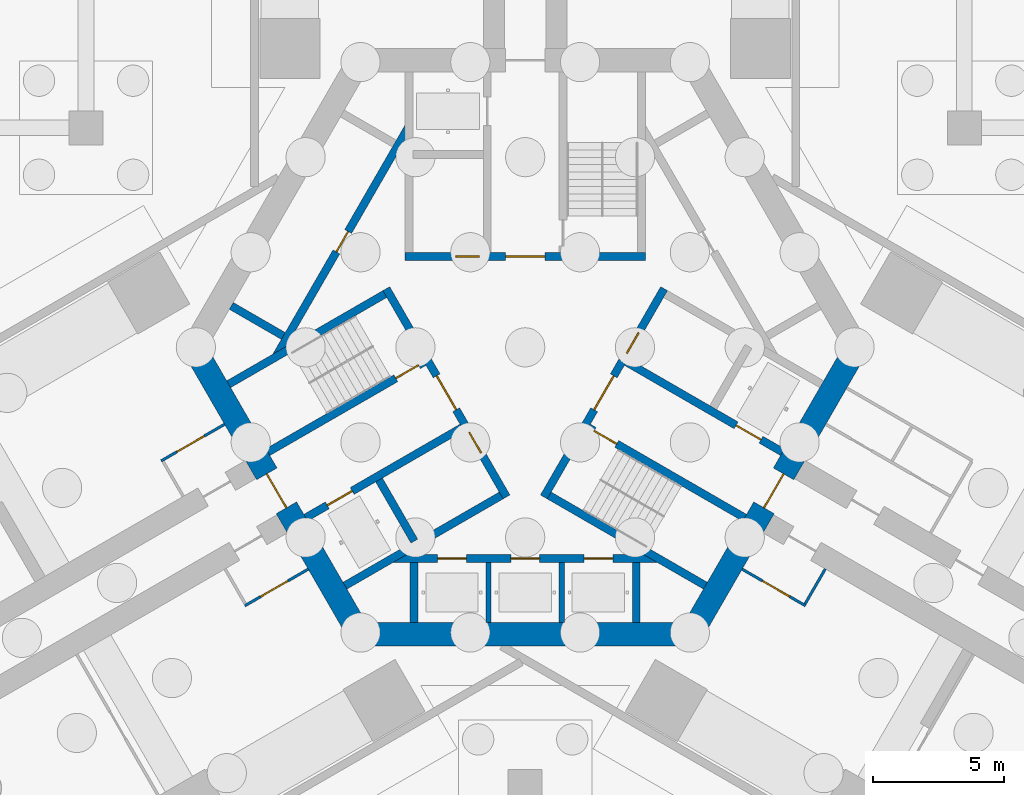
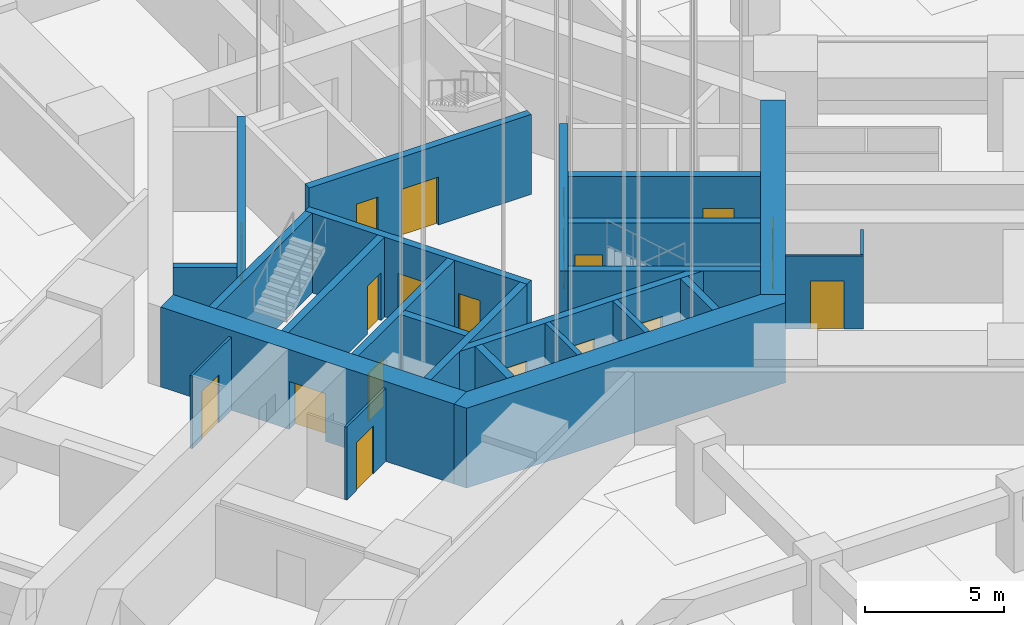
# One storey, part 55 of 73: 25 walls, 19 doors, 19 openings.
"""IFC4 building model written with IfcOpenShell, lengths in metres."""

from ifc_helpers import new_model, si_unit, direction, frame, frame_2d, origin, place, context, subcontext, project, spatial, polyline, rectangle, outline, extrude, material, layer, layer_set, type_object, element, fill, save


model = new_model("IFC4")

# Units and contexts
model_context = context("Model", 3, precision=1e-05, world=origin(), true_north=direction((0.0, 1.0)))
body_context = subcontext(model_context, "Body", "Model", "MODEL_VIEW")
ifc_project = project(units=[si_unit("LENGTHUNIT", "METRE"), si_unit("AREAUNIT", "SQUARE_METRE"), si_unit("VOLUMEUNIT", "CUBIC_METRE"), si_unit("PLANEANGLEUNIT", "RADIAN"), si_unit("MASSUNIT", "GRAM", prefix="KILO")], contexts=[model_context])

# Site, building, storey
site_placement = place(None, origin())
site = spatial("IfcSite", under=ifc_project, at=site_placement, CompositionType="ELEMENT")
building_placement = place(site_placement, origin())
building = spatial("IfcBuilding", under=site, at=building_placement, Name="Impinga Residences", CompositionType="ELEMENT")
storey_placement = place(building_placement, frame((0.0, 0.0, -10.5)))
storey = spatial("IfcBuildingStorey", under=building, at=storey_placement, Name="B3", CompositionType="ELEMENT", Elevation=-10.5)

# Wall, opening, door
ifc_material_1 = material(Name="Concrete blockwork", Category="masonry")
ifc_layer_1 = layer(ifc_material_1, 0.10009765625)
ifc_layer_set_1 = layer_set([ifc_layer_1], Name="CP1 core room partition, blockwork 100")
wall_type_1 = type_object("IfcWallType", Name="CP1 core room partition, blockwork 100", PredefinedType="PARTITIONING", material=ifc_layer_set_1)
wall_1_placement = place(storey_placement, frame((-8.300048828125, -8.487060546875, 0.0), z_axis=(0.0, 0.0, 1.0), x_axis=(-0.866034573852, -0.49998411664, 0.0)))
wall_1 = element("IfcWall", 1, at=wall_1_placement, inside=storey, type_object=wall_type_1, Name="Core room partition, blockwork B3-WA1:L1", PredefinedType="PARTITIONING", context=body_context, shape_type="SweptSolid", body=[
    extrude(rectangle(XDim=2.7998046875, YDim=0.10009765625, at=frame_2d((1.39990234375, 0.0))), origin(), (0.0, 0.0, 1.0), 3.199951171875),
])
opening_1_placement = place(wall_1_placement, frame((0.89990234375, 0.0, 0.0)))
opening_1 = element("IfcOpeningElement", 2, at=opening_1_placement, cuts=wall_1, Name="Opening D3", PredefinedType="OPENING", context=body_context, shape_type="SweptSolid", body=[
    extrude(rectangle(XDim=1.199951171875, YDim=2.10009765625, at=frame_2d((0.60009765625, 1.050048828125))), frame((0.0, 0.06005859375, 0.0), z_axis=(0.0, -1.0, 0.0), x_axis=(1.0, 0.0, 0.0)), (0.0, 0.0, 1.0), 0.1201171875),
])
ifc_material_2 = material(Name="Timber door set", Category="wood")
door_type_1 = type_object("IfcDoorType", Name="D3 room door, leaf and a half 1200x2100", OperationType="DOUBLE_SWING_LEFT", PredefinedType="DOOR", material=ifc_material_2)
door_1_placement = place(opening_1_placement, origin())
door_1 = element("IfcDoor", 3, at=door_1_placement, inside=storey, type_object=door_type_1, Name="Sprinkler pump room door B3-WA1", OperationType="DOUBLE_SWING_LEFT", OverallHeight=2.10009765625, OverallWidth=1.199951171875, PredefinedType="DOOR", context=body_context, shape_type="SweptSolid", body=[
    extrude(rectangle(XDim=1.199951171875, YDim=2.10009765625, at=frame_2d((0.60009765625, 1.050048828125))), frame((0.0, 0.02490234375, 0.0), z_axis=(0.0, -1.0, 0.0), x_axis=(1.0, 0.0, 0.0)), (0.0, 0.0, 1.0), 0.050048828125),
])
fill(opening_1, door_1)

wall_2_placement = place(storey_placement, frame((-11.5, -2.944580078125, 0.0), z_axis=(0.0, 0.0, 1.0), x_axis=(-0.866034573852, -0.49998411664, 0.0)))
wall_2 = element("IfcWall", 4, at=wall_2_placement, inside=storey, type_object=wall_type_1, Name="Core room partition, blockwork B3-WF1:L1", PredefinedType="PARTITIONING", context=body_context, shape_type="SweptSolid", body=[
    extrude(rectangle(XDim=2.7998046875, YDim=0.10009765625, at=frame_2d((1.39990234375, 0.0))), origin(), (0.0, 0.0, 1.0), 3.199951171875),
])
opening_2_placement = place(wall_2_placement, frame((0.89990234375, 0.0, 0.0)))
opening_2 = element("IfcOpeningElement", 5, at=opening_2_placement, cuts=wall_2, Name="Opening D3", PredefinedType="OPENING", context=body_context, shape_type="SweptSolid", body=[
    extrude(rectangle(XDim=1.199951171875, YDim=2.10009765625, at=frame_2d((0.60009765625, 1.050048828125))), frame((0.0, 0.06005859375, 0.0), z_axis=(0.0, -1.0, 0.0), x_axis=(1.0, 0.0, 0.0)), (0.0, 0.0, 1.0), 0.1201171875),
])
door_2_placement = place(opening_2_placement, origin())
door_2 = element("IfcDoor", 6, at=door_2_placement, inside=storey, type_object=door_type_1, Name="Storage cages door B3-WF1", OperationType="DOUBLE_SWING_LEFT", OverallHeight=2.10009765625, OverallWidth=1.199951171875, PredefinedType="DOOR", context=body_context, shape_type="SweptSolid", body=[
    extrude(rectangle(XDim=1.199951171875, YDim=2.10009765625, at=frame_2d((0.60009765625, 1.050048828125))), frame((0.0, 0.02490234375, 0.0), z_axis=(0.0, -1.0, 0.0), x_axis=(1.0, 0.0, 0.0)), (0.0, 0.0, 1.0), 0.050048828125),
])
fill(opening_2, door_2)

wall_3_placement = place(storey_placement, frame((8.300048828125, -8.487060546875, 0.0), z_axis=(0.0, 0.0, 1.0), x_axis=(0.866034573852, -0.49998411664, 0.0)))
wall_3 = element("IfcWall", 7, at=wall_3_placement, inside=storey, type_object=wall_type_1, Name="Core room partition, blockwork B3-EF1:L1", PredefinedType="PARTITIONING", context=body_context, shape_type="SweptSolid", body=[
    extrude(rectangle(XDim=2.7998046875, YDim=0.10009765625, at=frame_2d((1.39990234375, 0.0))), origin(), (0.0, 0.0, 1.0), 3.199951171875),
])
opening_3_placement = place(wall_3_placement, frame((0.89990234375, 0.0, 0.0)))
opening_3 = element("IfcOpeningElement", 8, at=opening_3_placement, cuts=wall_3, Name="Opening D3", PredefinedType="OPENING", context=body_context, shape_type="SweptSolid", body=[
    extrude(rectangle(XDim=1.199951171875, YDim=2.10009765625, at=frame_2d((0.60009765625, 1.050048828125))), frame((0.0, 0.06005859375, 0.0), z_axis=(0.0, -1.0, 0.0), x_axis=(1.0, 0.0, 0.0)), (0.0, 0.0, 1.0), 0.1201171875),
])
door_3_placement = place(opening_3_placement, origin())
door_3 = element("IfcDoor", 9, at=door_3_placement, inside=storey, type_object=door_type_1, Name="Electrical switch room door B3-EF1", OperationType="DOUBLE_SWING_LEFT", OverallHeight=2.10009765625, OverallWidth=1.199951171875, PredefinedType="DOOR", context=body_context, shape_type="SweptSolid", body=[
    extrude(rectangle(XDim=1.199951171875, YDim=2.10009765625, at=frame_2d((0.60009765625, 1.050048828125))), frame((0.0, 0.02490234375, 0.0), z_axis=(0.0, -1.0, 0.0), x_axis=(1.0, 0.0, 0.0)), (0.0, 0.0, 1.0), 0.050048828125),
])
fill(opening_3, door_3)

# Wall
wall_4_placement = place(storey_placement, frame((11.481689453125, -8.476318359375, 0.0), z_axis=(0.0, 0.0, 1.0), x_axis=(-0.500017819788, -0.86601511528, 0.0)))
element("IfcWall", 10, at=wall_4_placement, inside=storey, type_object=wall_type_1, Name="Core room partition, blockwork B3-EF1:L2", PredefinedType="PARTITIONING", context=body_context, shape_type="SweptSolid", body=[
    extrude(rectangle(XDim=1.55029296875, YDim=0.10009765625, at=frame_2d((0.775146484375, 0.0))), origin(), (0.0, 0.0, 1.0), 3.199951171875),
])

# Wall, opening, door
ifc_material_3 = material(Name="Concrete C70/85", Category="concrete")
ifc_layer_2 = layer(ifc_material_3, 0.89990234375)
ifc_layer_set_2 = layer_set([ifc_layer_2], Name="Concrete C70/85")
wall_type_2 = type_object("IfcWallType", Name="SW1 core wall 900", PredefinedType="SHEAR", material=ifc_layer_set_2)
wall_5_placement = place(storey_placement, frame((-6.47021484375, -10.756591796875, 0.0), z_axis=(0.0, 0.0, 1.0), x_axis=(-0.499997612506, 0.8660267822, 0.0)))
wall_5 = element("IfcWall", 11, at=wall_5_placement, inside=storey, type_object=wall_type_2, Name="Core wall SW1 W:FACE B3", PredefinedType="SHEAR", context=body_context, shape_type="SweptSolid", body=[
    extrude(rectangle(XDim=12.16064453125, YDim=0.89990234375, at=frame_2d((6.080322265625, 0.0))), origin(), (0.0, 0.0, 1.0), 3.5),
])
opening_4_placement = place(wall_5_placement, frame((5.330322265625, 0.0, 0.0)))
opening_4 = element("IfcOpeningElement", 12, at=opening_4_placement, cuts=wall_5, Name="Opening D4", PredefinedType="OPENING", context=body_context, shape_type="SweptSolid", body=[
    extrude(rectangle(XDim=1.5, YDim=2.10009765625, at=frame_2d((0.75, 1.050048828125))), frame((0.0, 0.4599609375, 0.0), z_axis=(0.0, -1.0, 0.0), x_axis=(1.0, 0.0, 0.0)), (0.0, 0.0, 1.0), 0.919921875),
])
door_type_2 = type_object("IfcDoorType", Name="D4 lobby door pair 1500x2100", OperationType="DOUBLE_DOOR_DOUBLE_SWING", PredefinedType="DOOR", material=ifc_material_2)
door_4_placement = place(opening_4_placement, origin())
door_4 = element("IfcDoor", 13, at=door_4_placement, inside=storey, type_object=door_type_2, Name="Lobby door W", OperationType="DOUBLE_DOOR_DOUBLE_SWING", OverallHeight=2.10009765625, OverallWidth=1.5, PredefinedType="DOOR", context=body_context, shape_type="SweptSolid", body=[
    extrude(rectangle(XDim=1.5, YDim=2.10009765625, at=frame_2d((0.75, 1.050048828125))), frame((0.0, 0.02490234375, 0.0), z_axis=(0.0, -1.0, 0.0), x_axis=(1.0, 0.0, 0.0)), (0.0, 0.0, 1.0), 0.050048828125),
])
fill(opening_4, door_4)

wall_6_placement = place(storey_placement, frame((12.550537109375, -0.22509765625, 0.0), z_axis=(0.0, 0.0, 1.0), x_axis=(-0.499997612506, -0.8660267822, 0.0)))
wall_6 = element("IfcWall", 14, at=wall_6_placement, inside=storey, type_object=wall_type_2, Name="Core wall SW1 E:FACE B3", PredefinedType="SHEAR", context=body_context, shape_type="SweptSolid", body=[
    extrude(rectangle(XDim=12.16064453125, YDim=0.89990234375, at=frame_2d((6.080322265625, 0.0))), origin(), (0.0, 0.0, 1.0), 3.5),
])
opening_5_placement = place(wall_6_placement, frame((5.330322265625, 0.0, 0.0)))
opening_5 = element("IfcOpeningElement", 15, at=opening_5_placement, cuts=wall_6, Name="Opening D4", PredefinedType="OPENING", context=body_context, shape_type="SweptSolid", body=[
    extrude(rectangle(XDim=1.5, YDim=2.10009765625, at=frame_2d((0.75, 1.050048828125))), frame((0.0, 0.4599609375, 0.0), z_axis=(0.0, -1.0, 0.0), x_axis=(1.0, 0.0, 0.0)), (0.0, 0.0, 1.0), 0.919921875),
])
door_5_placement = place(opening_5_placement, origin())
door_5 = element("IfcDoor", 16, at=door_5_placement, inside=storey, type_object=door_type_2, Name="Lobby door E", OperationType="DOUBLE_DOOR_DOUBLE_SWING", OverallHeight=2.10009765625, OverallWidth=1.5, PredefinedType="DOOR", context=body_context, shape_type="SweptSolid", body=[
    extrude(rectangle(XDim=1.5, YDim=2.10009765625, at=frame_2d((0.75, 1.050048828125))), frame((0.0, 0.02490234375, 0.0), z_axis=(0.0, -1.0, 0.0), x_axis=(1.0, 0.0, 0.0)), (0.0, 0.0, 1.0), 0.050048828125),
])
fill(opening_5, door_5)

# Wall
wall_7_placement = place(storey_placement, origin())
element("IfcWall", 17, at=wall_7_placement, inside=storey, type_object=wall_type_2, Name="Core wall SW1 N:EXPOSED B3", PredefinedType="SHEAR", context=body_context, shape_type="SweptSolid", body=[
    extrude(outline(polyline([(-6.60009765625, -11.431640625), (6.60009765625, -11.431640625), (6.85986328125, -10.9814453125), (6.080322265625, -10.531494140625), (-6.080322265625, -10.531494140625), (-6.85986328125, -10.9814453125), (-6.60009765625, -11.431640625)])), origin(), (0.0, 0.0, 1.0), 3.5),
])

# Wall, openings, doors
ifc_layer_3 = layer(ifc_material_3, 0.300048828125)
ifc_layer_set_3 = layer_set([ifc_layer_3], Name="Concrete C70/85")
wall_type_3 = type_object("IfcWallType", Name="SW5 core inner wall, stairs, shafts and lobbies 300", PredefinedType="SHEAR", material=ifc_layer_set_3)
wall_8_placement = place(storey_placement, frame((-4.60009765625, 3.47998046875, 0.0), z_axis=(0.0, 0.0, 1.0), x_axis=(1.0, 0.0, 0.0)))
wall_8 = element("IfcWall", 18, at=wall_8_placement, inside=storey, type_object=wall_type_3, Name="Core wall SW5 N:ZONE B3", PredefinedType="SHEAR", context=body_context, shape_type="SweptSolid", body=[
    extrude(rectangle(XDim=9.2001953125, YDim=0.300048828125, at=frame_2d((4.60009765625, 0.0))), origin(), (0.0, 0.0, 1.0), 3.5),
])
opening_6_placement = place(wall_8_placement, frame((3.85009765625, 0.0, 0.0)))
opening_6 = element("IfcOpeningElement", 19, at=opening_6_placement, cuts=wall_8, Name="Opening D4", PredefinedType="OPENING", context=body_context, shape_type="SweptSolid", body=[
    extrude(rectangle(XDim=1.5, YDim=2.10009765625, at=frame_2d((0.75, 1.050048828125))), frame((0.0, 0.159912109375, 0.0), z_axis=(0.0, -1.0, 0.0), x_axis=(1.0, 0.0, 0.0)), (0.0, 0.0, 1.0), 0.320068359375),
])
opening_7_placement = place(wall_8_placement, frame((1.949951171875, 0.0, 0.0)))
opening_7 = element("IfcOpeningElement", 20, at=opening_7_placement, cuts=wall_8, Name="Opening D6", PredefinedType="OPENING", context=body_context, shape_type="SweptSolid", body=[
    extrude(rectangle(XDim=0.89990234375, YDim=2.10009765625, at=frame_2d((0.449951171875, 1.050048828125))), frame((0.0, 0.159912109375, 0.0), z_axis=(0.0, -1.0, 0.0), x_axis=(1.0, 0.0, 0.0)), (0.0, 0.0, 1.0), 0.320068359375),
])
door_6_placement = place(opening_6_placement, origin())
door_6 = element("IfcDoor", 21, at=door_6_placement, inside=storey, type_object=door_type_2, Name="Firefighting lobby door N", OperationType="DOUBLE_DOOR_DOUBLE_SWING", OverallHeight=2.10009765625, OverallWidth=1.5, PredefinedType="DOOR", context=body_context, shape_type="SweptSolid", body=[
    extrude(rectangle(XDim=1.5, YDim=2.10009765625, at=frame_2d((0.75, 1.050048828125))), frame((0.0, 0.02490234375, 0.0), z_axis=(0.0, -1.0, 0.0), x_axis=(1.0, 0.0, 0.0)), (0.0, 0.0, 1.0), 0.050048828125),
])
fill(opening_6, door_6)
door_type_3 = type_object("IfcDoorType", Name="D6 riser and store door 900x2100", OperationType="SINGLE_SWING_LEFT", PredefinedType="DOOR", material=ifc_material_2)
door_7_placement = place(opening_7_placement, origin())
door_7 = element("IfcDoor", 22, at=door_7_placement, inside=storey, type_object=door_type_3, Name="Riser door N", OperationType="SINGLE_SWING_LEFT", OverallHeight=2.10009765625, OverallWidth=0.89990234375, PredefinedType="DOOR", context=body_context, shape_type="SweptSolid", body=[
    extrude(rectangle(XDim=0.89990234375, YDim=2.10009765625, at=frame_2d((0.449951171875, 1.050048828125))), frame((0.0, 0.02490234375, 0.0), z_axis=(0.0, -1.0, 0.0), x_axis=(1.0, 0.0, 0.0)), (0.0, 0.0, 1.0), 0.050048828125),
])
fill(opening_7, door_7)

wall_9_placement = place(storey_placement, frame((-0.7138671875, -5.7236328125, 0.0), z_axis=(0.0, 0.0, 1.0), x_axis=(-0.499995050369, 0.866028261437, 0.0)))
wall_9 = element("IfcWall", 23, at=wall_9_placement, inside=storey, type_object=wall_type_3, Name="Core wall SW5 W:ZONE B3", PredefinedType="SHEAR", context=body_context, shape_type="SweptSolid", body=[
    extrude(rectangle(XDim=9.19970703125, YDim=0.300048828125, at=frame_2d((4.599853515625, 0.0))), origin(), (0.0, 0.0, 1.0), 3.5),
])
opening_8_placement = place(wall_9_placement, frame((3.85009765625, 0.0, 0.0)))
opening_8 = element("IfcOpeningElement", 24, at=opening_8_placement, cuts=wall_9, Name="Opening D4", PredefinedType="OPENING", context=body_context, shape_type="SweptSolid", body=[
    extrude(rectangle(XDim=1.5, YDim=2.10009765625, at=frame_2d((0.75, 1.050048828125))), frame((0.0, 0.159912109375, 0.0), z_axis=(0.0, -1.0, 0.0), x_axis=(1.0, 0.0, 0.0)), (0.0, 0.0, 1.0), 0.320068359375),
])
opening_9_placement = place(wall_9_placement, frame((1.949951171875, 0.0, 0.0)))
opening_9 = element("IfcOpeningElement", 25, at=opening_9_placement, cuts=wall_9, Name="Opening D6", PredefinedType="OPENING", context=body_context, shape_type="SweptSolid", body=[
    extrude(rectangle(XDim=0.89990234375, YDim=2.10009765625, at=frame_2d((0.449951171875, 1.050048828125))), frame((0.0, 0.159912109375, 0.0), z_axis=(0.0, -1.0, 0.0), x_axis=(1.0, 0.0, 0.0)), (0.0, 0.0, 1.0), 0.320068359375),
])
door_8_placement = place(opening_8_placement, origin())
door_8 = element("IfcDoor", 26, at=door_8_placement, inside=storey, type_object=door_type_2, Name="Firefighting lobby door W", OperationType="DOUBLE_DOOR_DOUBLE_SWING", OverallHeight=2.10009765625, OverallWidth=1.5, PredefinedType="DOOR", context=body_context, shape_type="SweptSolid", body=[
    extrude(rectangle(XDim=1.5, YDim=2.10009765625, at=frame_2d((0.75, 1.050048828125))), frame((0.0, 0.02490234375, 0.0), z_axis=(0.0, -1.0, 0.0), x_axis=(1.0, 0.0, 0.0)), (0.0, 0.0, 1.0), 0.050048828125),
])
fill(opening_8, door_8)
door_9_placement = place(opening_9_placement, origin())
door_9 = element("IfcDoor", 27, at=door_9_placement, inside=storey, type_object=door_type_3, Name="Riser door W", OperationType="SINGLE_SWING_LEFT", OverallHeight=2.10009765625, OverallWidth=0.89990234375, PredefinedType="DOOR", context=body_context, shape_type="SweptSolid", body=[
    extrude(rectangle(XDim=0.89990234375, YDim=2.10009765625, at=frame_2d((0.449951171875, 1.050048828125))), frame((0.0, 0.02490234375, 0.0), z_axis=(0.0, -1.0, 0.0), x_axis=(1.0, 0.0, 0.0)), (0.0, 0.0, 1.0), 0.050048828125),
])
fill(opening_9, door_9)

# Wall, opening, door
wall_10_placement = place(storey_placement, frame((-3.86865234375, -0.559326171875, 0.0), z_axis=(0.0, 0.0, 1.0), x_axis=(-0.86602711848, -0.499997030048, 0.0)))
wall_10 = element("IfcWall", 28, at=wall_10_placement, inside=storey, type_object=wall_type_3, Name="Core wall SW5 W:ST-IN B3", PredefinedType="SHEAR", context=body_context, shape_type="SweptSolid", body=[
    extrude(rectangle(XDim=6.9013671875, YDim=0.300048828125, at=frame_2d((3.45068359375, 0.0))), origin(), (0.0, 0.0, 1.0), 3.5),
])
opening_10_placement = place(wall_10_placement, frame((0.25, 0.0, 0.0)))
opening_10 = element("IfcOpeningElement", 29, at=opening_10_placement, cuts=wall_10, Name="Opening D5", PredefinedType="OPENING", context=body_context, shape_type="SweptSolid", body=[
    extrude(rectangle(XDim=1.0, YDim=2.10009765625, at=frame_2d((0.5, 1.050048828125))), frame((0.0, 0.159912109375, 0.0), z_axis=(0.0, -1.0, 0.0), x_axis=(1.0, 0.0, 0.0)), (0.0, 0.0, 1.0), 0.320068359375),
])
door_type_4 = type_object("IfcDoorType", Name="D5 stair door 1000x2100", OperationType="SINGLE_SWING_LEFT", PredefinedType="DOOR", material=ifc_material_2)
door_10_placement = place(opening_10_placement, origin())
door_10 = element("IfcDoor", 30, at=door_10_placement, inside=storey, type_object=door_type_4, Name="Stair door W", OperationType="SINGLE_SWING_LEFT", OverallHeight=2.10009765625, OverallWidth=1.0, PredefinedType="DOOR", context=body_context, shape_type="SweptSolid", body=[
    extrude(rectangle(XDim=1.0, YDim=2.10009765625, at=frame_2d((0.5, 1.050048828125))), frame((0.0, 0.02490234375, 0.0), z_axis=(0.0, -1.0, 0.0), x_axis=(1.0, 0.0, 0.0)), (0.0, 0.0, 1.0), 0.050048828125),
])
fill(opening_10, door_10)

# Wall
wall_11_placement = place(storey_placement, frame((-5.36865234375, 2.038818359375, 0.0), z_axis=(0.0, 0.0, 1.0), x_axis=(-0.86602711848, -0.499997030048, 0.0)))
element("IfcWall", 31, at=wall_11_placement, inside=storey, type_object=wall_type_3, Name="Core wall SW5 W:ST-OUT B3", PredefinedType="SHEAR", context=body_context, shape_type="SweptSolid", body=[
    extrude(rectangle(XDim=6.9013671875, YDim=0.300048828125, at=frame_2d((3.45068359375, 0.0))), origin(), (0.0, 0.0, 1.0), 3.5),
])

# Wall, opening, door
wall_12_placement = place(storey_placement, frame((-2.418701171875, -3.07080078125, 0.0), z_axis=(0.0, 0.0, 1.0), x_axis=(-0.86602711848, -0.499997030048, 0.0)))
wall_12 = element("IfcWall", 32, at=wall_12_placement, inside=storey, type_object=wall_type_3, Name="Core wall SW5 W:FF-IN B3", PredefinedType="SHEAR", context=body_context, shape_type="SweptSolid", body=[
    extrude(rectangle(XDim=6.9013671875, YDim=0.300048828125, at=frame_2d((3.45068359375, 0.0))), origin(), (0.0, 0.0, 1.0), 3.5),
])
opening_11_placement = place(wall_12_placement, frame((4.85009765625, 0.0, 0.0)))
opening_11 = element("IfcOpeningElement", 33, at=opening_11_placement, cuts=wall_12, Name="Opening LD2", PredefinedType="OPENING", context=body_context, shape_type="SweptSolid", body=[
    extrude(rectangle(XDim=1.10009765625, YDim=2.10009765625, at=frame_2d((0.550048828125, 1.050048828125))), frame((0.0, 0.159912109375, 0.0), z_axis=(0.0, -1.0, 0.0), x_axis=(1.0, 0.0, 0.0)), (0.0, 0.0, 1.0), 0.320068359375),
])
ifc_material_4 = material(Name="Steel lift landing door", Category="steel")
door_type_5 = type_object("IfcDoorType", Name="LD2 firefighting lift landing door 1100x2100", OperationType="DOUBLE_DOOR_SLIDING", PredefinedType="DOOR", material=ifc_material_4)
door_11_placement = place(opening_11_placement, origin())
door_11 = element("IfcDoor", 34, at=door_11_placement, inside=storey, type_object=door_type_5, Name="Firefighting lift landing door F2", OperationType="DOUBLE_DOOR_SLIDING", OverallHeight=2.10009765625, OverallWidth=1.10009765625, PredefinedType="DOOR", context=body_context, shape_type="SweptSolid", body=[
    extrude(rectangle(XDim=1.10009765625, YDim=2.10009765625, at=frame_2d((0.550048828125, 1.050048828125))), frame((0.0, 0.02490234375, 0.0), z_axis=(0.0, -1.0, 0.0), x_axis=(1.0, 0.0, 0.0)), (0.0, 0.0, 1.0), 0.050048828125),
])
fill(opening_11, door_11)

# Walls
wall_13_placement = place(storey_placement, frame((-0.918701171875, -5.668701171875, 0.0), z_axis=(0.0, 0.0, 1.0), x_axis=(-0.866011800373, -0.500023561059, 0.0)))
element("IfcWall", 35, at=wall_13_placement, inside=storey, type_object=wall_type_3, Name="Core wall SW5 W:FF-OUT B3", PredefinedType="SHEAR", context=body_context, shape_type="SweptSolid", body=[
    extrude(rectangle(XDim=6.901611328125, YDim=0.300048828125, at=frame_2d((3.45068359375, 0.0))), origin(), (0.0, 0.0, 1.0), 3.5),
])
wall_14_placement = place(storey_placement, frame((-4.2412109375, -7.413818359375, 0.0), z_axis=(0.0, 0.0, 1.0), x_axis=(-0.500048589285, 0.86599734893, 0.0)))
element("IfcWall", 36, at=wall_14_placement, inside=storey, type_object=wall_type_3, Name="Core wall SW5 W:FF-RS B3", PredefinedType="SHEAR", context=body_context, shape_type="SweptSolid", body=[
    extrude(rectangle(XDim=2.699951171875, YDim=0.300048828125, at=frame_2d((1.35009765625, 0.0))), origin(), (0.0, 0.0, 1.0), 3.5),
])

# Wall, openings, doors
wall_15_placement = place(storey_placement, frame((5.313720703125, 2.24365234375, 0.0), z_axis=(0.0, 0.0, 1.0), x_axis=(-0.499995050369, -0.866028261437, 0.0)))
wall_15 = element("IfcWall", 37, at=wall_15_placement, inside=storey, type_object=wall_type_3, Name="Core wall SW5 E:ZONE B3", PredefinedType="SHEAR", context=body_context, shape_type="SweptSolid", body=[
    extrude(rectangle(XDim=9.19970703125, YDim=0.300048828125, at=frame_2d((4.599853515625, 0.0))), origin(), (0.0, 0.0, 1.0), 3.5),
])
opening_12_placement = place(wall_15_placement, frame((3.85009765625, 0.0, 0.0)))
opening_12 = element("IfcOpeningElement", 38, at=opening_12_placement, cuts=wall_15, Name="Opening D4", PredefinedType="OPENING", context=body_context, shape_type="SweptSolid", body=[
    extrude(rectangle(XDim=1.5, YDim=2.10009765625, at=frame_2d((0.75, 1.050048828125))), frame((0.0, 0.159912109375, 0.0), z_axis=(0.0, -1.0, 0.0), x_axis=(1.0, 0.0, 0.0)), (0.0, 0.0, 1.0), 0.320068359375),
])
opening_13_placement = place(wall_15_placement, frame((1.949951171875, 0.0, 0.0)))
opening_13 = element("IfcOpeningElement", 39, at=opening_13_placement, cuts=wall_15, Name="Opening D6", PredefinedType="OPENING", context=body_context, shape_type="SweptSolid", body=[
    extrude(rectangle(XDim=0.89990234375, YDim=2.10009765625, at=frame_2d((0.449951171875, 1.050048828125))), frame((0.0, 0.159912109375, 0.0), z_axis=(0.0, -1.0, 0.0), x_axis=(1.0, 0.0, 0.0)), (0.0, 0.0, 1.0), 0.320068359375),
])
door_12_placement = place(opening_12_placement, origin())
door_12 = element("IfcDoor", 40, at=door_12_placement, inside=storey, type_object=door_type_2, Name="Firefighting lobby door E", OperationType="DOUBLE_DOOR_DOUBLE_SWING", OverallHeight=2.10009765625, OverallWidth=1.5, PredefinedType="DOOR", context=body_context, shape_type="SweptSolid", body=[
    extrude(rectangle(XDim=1.5, YDim=2.10009765625, at=frame_2d((0.75, 1.050048828125))), frame((0.0, 0.02490234375, 0.0), z_axis=(0.0, -1.0, 0.0), x_axis=(1.0, 0.0, 0.0)), (0.0, 0.0, 1.0), 0.050048828125),
])
fill(opening_12, door_12)
door_13_placement = place(opening_13_placement, origin())
door_13 = element("IfcDoor", 41, at=door_13_placement, inside=storey, type_object=door_type_3, Name="Riser door E", OperationType="SINGLE_SWING_LEFT", OverallHeight=2.10009765625, OverallWidth=0.89990234375, PredefinedType="DOOR", context=body_context, shape_type="SweptSolid", body=[
    extrude(rectangle(XDim=0.89990234375, YDim=2.10009765625, at=frame_2d((0.449951171875, 1.050048828125))), frame((0.0, 0.02490234375, 0.0), z_axis=(0.0, -1.0, 0.0), x_axis=(1.0, 0.0, 0.0)), (0.0, 0.0, 1.0), 0.050048828125),
])
fill(opening_13, door_13)

# Wall, opening, door
wall_16_placement = place(storey_placement, frame((2.418701171875, -3.07080078125, 0.0), z_axis=(0.0, 0.0, 1.0), x_axis=(0.86602711848, -0.499997030048, 0.0)))
wall_16 = element("IfcWall", 42, at=wall_16_placement, inside=storey, type_object=wall_type_3, Name="Core wall SW5 E:ST-IN B3", PredefinedType="SHEAR", context=body_context, shape_type="SweptSolid", body=[
    extrude(rectangle(XDim=6.9013671875, YDim=0.300048828125, at=frame_2d((3.45068359375, 0.0))), origin(), (0.0, 0.0, 1.0), 3.5),
])
opening_14_placement = place(wall_16_placement, frame((0.25, 0.0, 0.0)))
opening_14 = element("IfcOpeningElement", 43, at=opening_14_placement, cuts=wall_16, Name="Opening D5", PredefinedType="OPENING", context=body_context, shape_type="SweptSolid", body=[
    extrude(rectangle(XDim=1.0, YDim=2.10009765625, at=frame_2d((0.5, 1.050048828125))), frame((0.0, 0.159912109375, 0.0), z_axis=(0.0, -1.0, 0.0), x_axis=(1.0, 0.0, 0.0)), (0.0, 0.0, 1.0), 0.320068359375),
])
door_14_placement = place(opening_14_placement, origin())
door_14 = element("IfcDoor", 44, at=door_14_placement, inside=storey, type_object=door_type_4, Name="Stair door E", OperationType="SINGLE_SWING_LEFT", OverallHeight=2.10009765625, OverallWidth=1.0, PredefinedType="DOOR", context=body_context, shape_type="SweptSolid", body=[
    extrude(rectangle(XDim=1.0, YDim=2.10009765625, at=frame_2d((0.5, 1.050048828125))), frame((0.0, 0.02490234375, 0.0), z_axis=(0.0, -1.0, 0.0), x_axis=(1.0, 0.0, 0.0)), (0.0, 0.0, 1.0), 0.050048828125),
])
fill(opening_14, door_14)

# Wall
wall_17_placement = place(storey_placement, frame((0.918701171875, -5.668701171875, 0.0), z_axis=(0.0, 0.0, 1.0), x_axis=(0.866011800373, -0.500023561059, 0.0)))
element("IfcWall", 45, at=wall_17_placement, inside=storey, type_object=wall_type_3, Name="Core wall SW5 E:ST-OUT B3", PredefinedType="SHEAR", context=body_context, shape_type="SweptSolid", body=[
    extrude(rectangle(XDim=6.901611328125, YDim=0.300048828125, at=frame_2d((3.45068359375, 0.0))), origin(), (0.0, 0.0, 1.0), 3.5),
])

# Wall, opening, door
wall_18_placement = place(storey_placement, frame((3.86865234375, -0.559326171875, 0.0), z_axis=(0.0, 0.0, 1.0), x_axis=(0.86602711848, -0.499997030048, 0.0)))
wall_18 = element("IfcWall", 46, at=wall_18_placement, inside=storey, type_object=wall_type_3, Name="Core wall SW5 E:FF-IN B3", PredefinedType="SHEAR", context=body_context, shape_type="SweptSolid", body=[
    extrude(rectangle(XDim=6.9013671875, YDim=0.300048828125, at=frame_2d((3.45068359375, 0.0))), origin(), (0.0, 0.0, 1.0), 3.5),
])
opening_15_placement = place(wall_18_placement, frame((4.85009765625, 0.0, 0.0)))
opening_15 = element("IfcOpeningElement", 47, at=opening_15_placement, cuts=wall_18, Name="Opening LD2", PredefinedType="OPENING", context=body_context, shape_type="SweptSolid", body=[
    extrude(rectangle(XDim=1.10009765625, YDim=2.10009765625, at=frame_2d((0.550048828125, 1.050048828125))), frame((0.0, 0.159912109375, 0.0), z_axis=(0.0, -1.0, 0.0), x_axis=(1.0, 0.0, 0.0)), (0.0, 0.0, 1.0), 0.320068359375),
])
door_15_placement = place(opening_15_placement, origin())
door_15 = element("IfcDoor", 48, at=door_15_placement, inside=storey, type_object=door_type_5, Name="Firefighting lift landing door F3", OperationType="DOUBLE_DOOR_SLIDING", OverallHeight=2.10009765625, OverallWidth=1.10009765625, PredefinedType="DOOR", context=body_context, shape_type="SweptSolid", body=[
    extrude(rectangle(XDim=1.10009765625, YDim=2.10009765625, at=frame_2d((0.550048828125, 1.050048828125))), frame((0.0, 0.02490234375, 0.0), z_axis=(0.0, -1.0, 0.0), x_axis=(1.0, 0.0, 0.0)), (0.0, 0.0, 1.0), 0.050048828125),
])
fill(opening_15, door_15)

# Wall, openings, doors
wall_19_placement = place(storey_placement, frame((5.09765625, -8.08154296875, 0.0), z_axis=(0.0, 0.0, 1.0), x_axis=(-1.0, 0.0, 0.0)))
wall_19 = element("IfcWall", 49, at=wall_19_placement, inside=storey, type_object=wall_type_3, Name="Core wall SW5 N:BANK-FRONT B3", PredefinedType="SHEAR", context=body_context, shape_type="SweptSolid", body=[
    extrude(rectangle(XDim=10.1953125, YDim=0.300048828125, at=frame_2d((5.09765625, 0.0))), origin(), (0.0, 0.0, 1.0), 3.5),
])
opening_16_placement = place(wall_19_placement, frame((1.74755859375, 0.0, 0.0)))
opening_16 = element("IfcOpeningElement", 50, at=opening_16_placement, cuts=wall_19, Name="Opening LD1", PredefinedType="OPENING", context=body_context, shape_type="SweptSolid", body=[
    extrude(rectangle(XDim=1.10009765625, YDim=2.10009765625, at=frame_2d((0.550048828125, 1.050048828125))), frame((0.0, 0.159912109375, 0.0), z_axis=(0.0, -1.0, 0.0), x_axis=(1.0, 0.0, 0.0)), (0.0, 0.0, 1.0), 0.320068359375),
])
opening_17_placement = place(wall_19_placement, frame((4.547607421875, 0.0, 0.0)))
opening_17 = element("IfcOpeningElement", 51, at=opening_17_placement, cuts=wall_19, Name="Opening LD1", PredefinedType="OPENING", context=body_context, shape_type="SweptSolid", body=[
    extrude(rectangle(XDim=1.10009765625, YDim=2.10009765625, at=frame_2d((0.550048828125, 1.050048828125))), frame((0.0, 0.159912109375, 0.0), z_axis=(0.0, -1.0, 0.0), x_axis=(1.0, 0.0, 0.0)), (0.0, 0.0, 1.0), 0.320068359375),
])
opening_18_placement = place(wall_19_placement, frame((7.34765625, 0.0, 0.0)))
opening_18 = element("IfcOpeningElement", 52, at=opening_18_placement, cuts=wall_19, Name="Opening LD1", PredefinedType="OPENING", context=body_context, shape_type="SweptSolid", body=[
    extrude(rectangle(XDim=1.10009765625, YDim=2.10009765625, at=frame_2d((0.550048828125, 1.050048828125))), frame((0.0, 0.159912109375, 0.0), z_axis=(0.0, -1.0, 0.0), x_axis=(1.0, 0.0, 0.0)), (0.0, 0.0, 1.0), 0.320068359375),
])
door_type_6 = type_object("IfcDoorType", Name="LD1 passenger lift landing door 1100x2100", OperationType="DOUBLE_DOOR_SLIDING", PredefinedType="DOOR", material=ifc_material_4)
door_16_placement = place(opening_16_placement, origin())
door_16 = element("IfcDoor", 53, at=door_16_placement, inside=storey, type_object=door_type_6, Name="Lift landing door P1", OperationType="DOUBLE_DOOR_SLIDING", OverallHeight=2.10009765625, OverallWidth=1.10009765625, PredefinedType="DOOR", context=body_context, shape_type="SweptSolid", body=[
    extrude(rectangle(XDim=1.10009765625, YDim=2.10009765625, at=frame_2d((0.550048828125, 1.050048828125))), frame((0.0, 0.02490234375, 0.0), z_axis=(0.0, -1.0, 0.0), x_axis=(1.0, 0.0, 0.0)), (0.0, 0.0, 1.0), 0.050048828125),
])
fill(opening_16, door_16)
door_17_placement = place(opening_17_placement, origin())
door_17 = element("IfcDoor", 54, at=door_17_placement, inside=storey, type_object=door_type_6, Name="Lift landing door P2", OperationType="DOUBLE_DOOR_SLIDING", OverallHeight=2.10009765625, OverallWidth=1.10009765625, PredefinedType="DOOR", context=body_context, shape_type="SweptSolid", body=[
    extrude(rectangle(XDim=1.10009765625, YDim=2.10009765625, at=frame_2d((0.550048828125, 1.050048828125))), frame((0.0, 0.02490234375, 0.0), z_axis=(0.0, -1.0, 0.0), x_axis=(1.0, 0.0, 0.0)), (0.0, 0.0, 1.0), 0.050048828125),
])
fill(opening_17, door_17)
door_18_placement = place(opening_18_placement, origin())
door_18 = element("IfcDoor", 55, at=door_18_placement, inside=storey, type_object=door_type_6, Name="Lift landing door P3", OperationType="DOUBLE_DOOR_SLIDING", OverallHeight=2.10009765625, OverallWidth=1.10009765625, PredefinedType="DOOR", context=body_context, shape_type="SweptSolid", body=[
    extrude(rectangle(XDim=1.10009765625, YDim=2.10009765625, at=frame_2d((0.550048828125, 1.050048828125))), frame((0.0, 0.02490234375, 0.0), z_axis=(0.0, -1.0, 0.0), x_axis=(1.0, 0.0, 0.0)), (0.0, 0.0, 1.0), 0.050048828125),
])
fill(opening_18, door_18)

# Walls
for number, where, z_axis, x_axis, name in (
    (56, (4.25, -8.2314453125, 0.0), (0.0, 0.0, 1.0), (0.0, -1.0, 0.0), "Core wall SW5 N:BANK-L B3"),
    (57, (-4.25, -8.2314453125, 0.0), (0.0, 0.0, 1.0), (0.0, -1.0, 0.0), "Core wall SW5 N:BANK-R B3"),
):
    element("IfcWall", number, at=place(storey_placement, frame(where, z_axis=z_axis, x_axis=x_axis)), inside=storey, type_object=wall_type_3, Name=name, PredefinedType="SHEAR", context=body_context, shape_type="SweptSolid", body=[
        extrude(rectangle(XDim=2.300048828125, YDim=0.300048828125, at=frame_2d((1.14990234375, 0.0))), origin(), (0.0, 0.0, 1.0), 3.5),
    ])

# Wall, opening, door
wall_20_placement = place(storey_placement, frame((-9.547607421875, -0.3740234375, 0.0), z_axis=(0.0, 0.0, 1.0), x_axis=(0.500002290144, 0.866024081565, 0.0)))
wall_20 = element("IfcWall", 58, at=wall_20_placement, inside=storey, type_object=wall_type_3, Name="Core wall SW5 E:BANK-FRONT B3", PredefinedType="SHEAR", context=body_context, shape_type="SweptSolid", body=[
    extrude(rectangle(XDim=10.1953125, YDim=0.300048828125, at=frame_2d((5.09765625, 0.0))), origin(), (0.0, 0.0, 1.0), 3.5),
])
opening_19_placement = place(wall_20_placement, frame((4.647705078125, 0.0, 0.0)))
opening_19 = element("IfcOpeningElement", 59, at=opening_19_placement, cuts=wall_20, Name="Opening D6", PredefinedType="OPENING", context=body_context, shape_type="SweptSolid", body=[
    extrude(rectangle(XDim=0.89990234375, YDim=2.10009765625, at=frame_2d((0.449951171875, 1.050048828125))), frame((0.0, 0.159912109375, 0.0), z_axis=(0.0, -1.0, 0.0), x_axis=(1.0, 0.0, 0.0)), (0.0, 0.0, 1.0), 0.320068359375),
])
door_19_placement = place(opening_19_placement, origin())
door_19 = element("IfcDoor", 60, at=door_19_placement, inside=storey, type_object=door_type_3, Name="Store door", OperationType="SINGLE_SWING_LEFT", OverallHeight=2.10009765625, OverallWidth=0.89990234375, PredefinedType="DOOR", context=body_context, shape_type="SweptSolid", body=[
    extrude(rectangle(XDim=0.89990234375, YDim=2.10009765625, at=frame_2d((0.449951171875, 1.050048828125))), frame((0.0, 0.02490234375, 0.0), z_axis=(0.0, -1.0, 0.0), x_axis=(1.0, 0.0, 0.0)), (0.0, 0.0, 1.0), 0.050048828125),
])
fill(opening_19, door_19)

# Walls
wall_21_placement = place(storey_placement, frame((-9.253662109375, 0.43505859375, 0.0), z_axis=(0.0, 0.0, 1.0), x_axis=(-0.866007057882, 0.500031774688, 0.0)))
element("IfcWall", 61, at=wall_21_placement, inside=storey, type_object=wall_type_3, Name="Core wall SW5 E:BANK-L B3", PredefinedType="SHEAR", context=body_context, shape_type="SweptSolid", body=[
    extrude(rectangle(XDim=2.300048828125, YDim=0.300048828125, at=frame_2d((1.14990234375, 0.0))), origin(), (0.0, 0.0, 1.0), 3.5),
])
ifc_layer_4 = layer(ifc_material_3, 0.199951171875)
ifc_layer_set_4 = layer_set([ifc_layer_4], Name="Concrete C70/85")
wall_type_4 = type_object("IfcWallType", Name="SW6 lift shaft divider wall 200", PredefinedType="SHEAR", material=ifc_layer_set_4)
for number, where, z_axis, x_axis, name in (
    (62, (1.39990234375, -8.2314453125, 0.0), (0.0, 0.0, 1.0), (0.0, -1.0, 0.0), "Core wall SW6 N:BANK-D1 B3"),
    (63, (-1.39990234375, -8.2314453125, 0.0), (0.0, 0.0, 1.0), (0.0, -1.0, 0.0), "Core wall SW6 N:BANK-D2 B3"),
):
    element("IfcWall", number, at=place(storey_placement, frame(where, z_axis=z_axis, x_axis=x_axis)), inside=storey, type_object=wall_type_4, Name=name, PredefinedType="SHEAR", context=body_context, shape_type="SweptSolid", body=[
        extrude(rectangle(XDim=2.300048828125, YDim=0.199951171875, at=frame_2d((1.14990234375, 0.0))), origin(), (0.0, 0.0, 1.0), 3.5),
    ])

save(model, "model.ifc")
